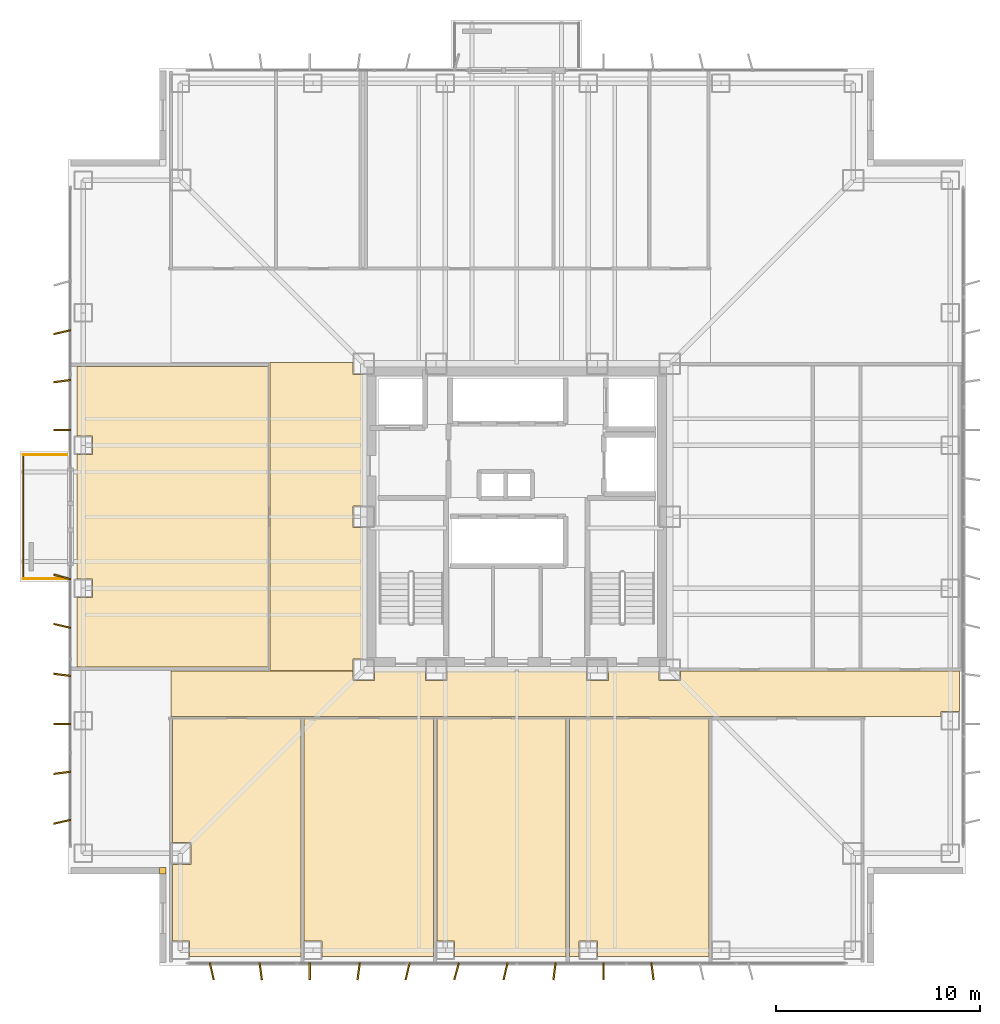
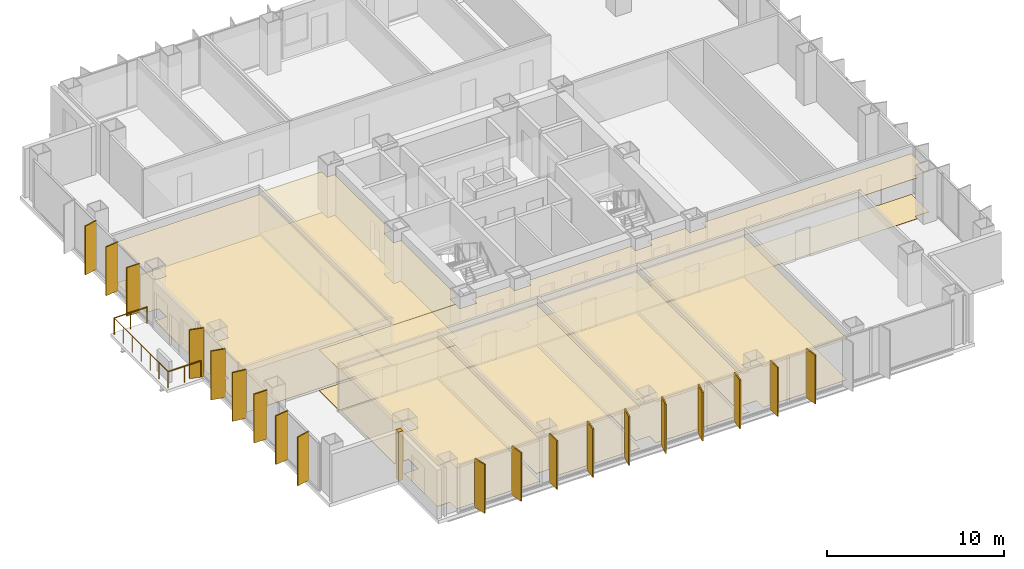
# One storey, part 13 of 15: 19 shading devices, 15 coverings, 3 railings.
"""IFC4 building model written with IfcOpenShell, lengths in metres."""

from ifc_helpers import new_model, si_unit, direction, frame, origin, origin_2d, place, context, subcontext, project, spatial, polyline, rectangle, circle, outline, extrude, material, layer, layer_set, type_object, element, save


model = new_model("IFC4")

# Units and contexts
model_context = context("Model", 3, precision=1e-05, world=origin(), true_north=direction((0.0, 1.0)))
body_context = subcontext(model_context, "Body", "Model", "MODEL_VIEW")
ifc_project = project(units=[si_unit("LENGTHUNIT", "METRE"), si_unit("AREAUNIT", "SQUARE_METRE"), si_unit("VOLUMEUNIT", "CUBIC_METRE"), si_unit("PLANEANGLEUNIT", "RADIAN"), si_unit("MASSUNIT", "GRAM", prefix="KILO")], contexts=[model_context])

# Site, building, storey
site_placement = place(None, origin())
site = spatial("IfcSite", under=ifc_project, at=site_placement, CompositionType="ELEMENT")
building_placement = place(site_placement, origin())
building = spatial("IfcBuilding", under=site, at=building_placement, Name="Trevonay Congress Spire", CompositionType="ELEMENT")
storey_placement = place(building_placement, frame((0.0, 0.0, 115.60009765625)))
storey = spatial("IfcBuildingStorey", under=building, at=storey_placement, Name="L29", CompositionType="ELEMENT", Elevation=115.60009765625)

# Coverings
ifc_material_1 = material(Name="Acoustic Mineral Fibre Board", Category="gypsum")
ifc_layer_1 = layer(ifc_material_1, 0.02490234375, Name="Acoustic Mineral Fibre Board")
ifc_layer_set_1 = layer_set([ifc_layer_1], Name="Acoustic Mineral Fibre Board")
covering_type_1 = type_object("IfcCoveringType", Name="COV-CEIL-ACOUSTIC", PredefinedType="CEILING", material=ifc_layer_set_1)
covering_1_placement = place(storey_placement, frame((0.0, 0.0, 2.809814453125)))
element("IfcCovering", 1, at=covering_1_placement, inside=storey, type_object=covering_type_1, Name="L29 Congress South Spine Corridor acoustic suspended ceiling", PredefinedType="CEILING", context=body_context, shape_type="SweptSolid", body=[
    extrude(outline(polyline([(-16.949951171875, -9.800048828125), (-16.949951171875, -7.550048828125), (-8.034912109375, -7.550048828125), (-8.034912109375, -8.034912109375), (-6.965087890625, -8.034912109375), (-6.965087890625, -7.550048828125), (-4.485107421875, -7.550048828125), (-4.485107421875, -8.034912109375), (-3.4150390625, -8.034912109375), (-3.4150390625, -7.550048828125), (3.4150390625, -7.550048828125), (3.4150390625, -8.034912109375), (4.485107421875, -8.034912109375), (4.485107421875, -7.550048828125), (6.965087890625, -7.550048828125), (6.965087890625, -8.034912109375), (8.034912109375, -8.034912109375), (8.034912109375, -7.550048828125), (21.699951171875, -7.550048828125), (21.699951171875, -9.5400390625), (20.7900390625, -9.5400390625), (20.7900390625, -9.800048828125), (-16.949951171875, -9.800048828125)])), origin(), (0.0, 0.0, 1.0), 0.025146484375),
])
covering_2_placement = place(storey_placement, frame((0.0, 0.0, 2.809814453125)))
element("IfcCovering", 2, at=covering_2_placement, inside=storey, type_object=covering_type_1, Name="L29 West Sky Promenade Salon acoustic suspended ceiling", PredefinedType="CEILING", context=body_context, shape_type="SweptSolid", body=[
    extrude(outline(polyline([(-12.10009765625, 7.550048828125), (-8.034912109375, 7.550048828125), (-8.034912109375, 6.965087890625), (-7.550048828125, 6.965087890625), (-7.550048828125, 0.534912109375), (-8.034912109375, 0.534912109375), (-8.034912109375, -0.534912109375), (-7.550048828125, -0.534912109375), (-7.550048828125, -6.965087890625), (-8.034912109375, -6.965087890625), (-8.034912109375, -7.5400390625), (-12.10009765625, -7.5400390625), (-12.10009765625, 7.550048828125)])), origin(), (0.0, 0.0, 1.0), 0.025146484375),
])
covering_3_placement = place(storey_placement, frame((0.0, 0.0, 2.809814453125)))
element("IfcCovering", 3, at=covering_3_placement, inside=storey, type_object=covering_type_1, Name="L29 Economic Secretariat Office 1 acoustic suspended ceiling", PredefinedType="CEILING", context=body_context, shape_type="SweptSolid", body=[
    extrude(outline(polyline([(-16.8701171875, -9.8798828125), (-10.580078125, -9.8798828125), (-10.580078125, -21.550048828125), (-16.0400390625, -21.550048828125), (-16.0400390625, -20.7900390625), (-16.8701171875, -20.7900390625), (-16.8701171875, -17.034912109375), (-15.965087890625, -17.034912109375), (-15.965087890625, -15.965087890625), (-16.8701171875, -15.965087890625), (-16.8701171875, -9.8798828125)])), origin(), (0.0, 0.0, 1.0), 0.025146484375),
])
covering_4_placement = place(storey_placement, frame((0.0, 0.0, 2.809814453125)))
element("IfcCovering", 4, at=covering_4_placement, inside=storey, type_object=covering_type_1, Name="L29 Economic Secretariat Office 2 acoustic suspended ceiling", PredefinedType="CEILING", context=body_context, shape_type="SweptSolid", body=[
    extrude(outline(polyline([(-10.419921875, -9.8798828125), (-4.080078125, -9.8798828125), (-4.080078125, -21.550048828125), (-9.5400390625, -21.550048828125), (-9.5400390625, -20.7900390625), (-10.419921875, -20.7900390625), (-10.419921875, -9.8798828125)])), origin(), (0.0, 0.0, 1.0), 0.025146484375),
])
covering_5_placement = place(storey_placement, frame((0.0, 0.0, 2.809814453125)))
element("IfcCovering", 5, at=covering_5_placement, inside=storey, type_object=covering_type_1, Name="L29 Legal Counsel Office 3 acoustic suspended ceiling", PredefinedType="CEILING", context=body_context, shape_type="SweptSolid", body=[
    extrude(outline(polyline([(-3.919921875, -9.8798828125), (2.419921875, -9.8798828125), (2.419921875, -21.550048828125), (-3.0400390625, -21.550048828125), (-3.0400390625, -20.7900390625), (-3.919921875, -20.7900390625), (-3.919921875, -9.8798828125)])), origin(), (0.0, 0.0, 1.0), 0.025146484375),
])
covering_6_placement = place(storey_placement, frame((0.0, 0.0, 2.809814453125)))
element("IfcCovering", 6, at=covering_6_placement, inside=storey, type_object=covering_type_1, Name="L29 Statistical Analysis Office 4 acoustic suspended ceiling", PredefinedType="CEILING", context=body_context, shape_type="SweptSolid", body=[
    extrude(outline(polyline([(2.580078125, -21.550048828125), (2.580078125, -9.8798828125), (9.419921875, -9.8798828125), (9.419921875, -21.550048828125), (3.9599609375, -21.550048828125), (3.9599609375, -20.7900390625), (3.0400390625, -20.7900390625), (3.0400390625, -21.550048828125), (2.580078125, -21.550048828125)])), origin(), (0.0, 0.0, 1.0), 0.025146484375),
])
covering_7_placement = place(storey_placement, frame((0.0, 0.0, 2.809814453125)))
element("IfcCovering", 7, at=covering_7_placement, inside=storey, type_object=covering_type_1, Name="L29 West Open-Plan Research Office acoustic suspended ceiling", PredefinedType="CEILING", context=body_context, shape_type="SweptSolid", body=[
    extrude(outline(polyline([(-21.550048828125, 7.3701171875), (-12.179931640625, 7.3701171875), (-12.179931640625, -7.3701171875), (-21.550048828125, -7.3701171875), (-21.550048828125, -3.9599609375), (-20.7900390625, -3.9599609375), (-20.7900390625, -3.0400390625), (-21.550048828125, -3.0400390625), (-21.550048828125, 3.0400390625), (-20.7900390625, 3.0400390625), (-20.7900390625, 3.9599609375), (-21.550048828125, 3.9599609375), (-21.550048828125, 7.3701171875)])), origin(), (0.0, 0.0, 1.0), 0.025146484375),
])
ifc_material_2 = material(Name="Polished Granite Floor Tile", Category="masonry")
ifc_layer_2 = layer(ifc_material_2, 0.02001953125, Name="Polished Granite Floor Tile")
ifc_layer_set_2 = layer_set([ifc_layer_2], Name="Polished Granite Floor Tile")
covering_type_2 = type_object("IfcCoveringType", Name="COV-FLOOR-STONE", PredefinedType="FLOORING", material=ifc_layer_set_2)
covering_8_placement = place(storey_placement, origin())
element("IfcCovering", 8, at=covering_8_placement, inside=storey, type_object=covering_type_2, Name="L29 Congress South Spine Corridor floor finish", PredefinedType="FLOORING", context=body_context, shape_type="SweptSolid", body=[
    extrude(outline(polyline([(-16.949951171875, -9.800048828125), (-16.949951171875, -7.550048828125), (-8.034912109375, -7.550048828125), (-8.034912109375, -8.034912109375), (-6.965087890625, -8.034912109375), (-6.965087890625, -7.550048828125), (-4.485107421875, -7.550048828125), (-4.485107421875, -8.034912109375), (-3.4150390625, -8.034912109375), (-3.4150390625, -7.550048828125), (3.4150390625, -7.550048828125), (3.4150390625, -8.034912109375), (4.485107421875, -8.034912109375), (4.485107421875, -7.550048828125), (6.965087890625, -7.550048828125), (6.965087890625, -8.034912109375), (8.034912109375, -8.034912109375), (8.034912109375, -7.550048828125), (21.699951171875, -7.550048828125), (21.699951171875, -9.5400390625), (20.7900390625, -9.5400390625), (20.7900390625, -9.800048828125), (-16.949951171875, -9.800048828125)])), origin(), (0.0, 0.0, 1.0), 0.02001953125),
])
ifc_material_3 = material(Name="Engineered Oak Flooring", Category="wood")
ifc_layer_3 = layer(ifc_material_3, 0.01806640625, Name="Engineered Oak Flooring")
ifc_layer_set_3 = layer_set([ifc_layer_3], Name="Engineered Oak Flooring")
covering_type_3 = type_object("IfcCoveringType", Name="COV-FLOOR-TIMBER", PredefinedType="FLOORING", material=ifc_layer_set_3)
covering_9_placement = place(storey_placement, origin())
element("IfcCovering", 9, at=covering_9_placement, inside=storey, type_object=covering_type_3, Name="L29 West Sky Promenade Salon floor finish", PredefinedType="FLOORING", context=body_context, shape_type="SweptSolid", body=[
    extrude(outline(polyline([(-12.10009765625, 7.550048828125), (-8.034912109375, 7.550048828125), (-8.034912109375, 6.965087890625), (-7.550048828125, 6.965087890625), (-7.550048828125, 0.534912109375), (-8.034912109375, 0.534912109375), (-8.034912109375, -0.534912109375), (-7.550048828125, -0.534912109375), (-7.550048828125, -6.965087890625), (-8.034912109375, -6.965087890625), (-8.034912109375, -7.5400390625), (-12.10009765625, -7.5400390625), (-12.10009765625, 7.550048828125)])), origin(), (0.0, 0.0, 1.0), 0.017822265625),
])
covering_10_placement = place(storey_placement, origin())
element("IfcCovering", 10, at=covering_10_placement, inside=storey, type_object=covering_type_3, Name="L29 Economic Secretariat Office 1 floor finish", PredefinedType="FLOORING", context=body_context, shape_type="SweptSolid", body=[
    extrude(outline(polyline([(-16.8701171875, -9.8798828125), (-10.580078125, -9.8798828125), (-10.580078125, -21.550048828125), (-16.0400390625, -21.550048828125), (-16.0400390625, -20.7900390625), (-16.8701171875, -20.7900390625), (-16.8701171875, -17.034912109375), (-15.965087890625, -17.034912109375), (-15.965087890625, -15.965087890625), (-16.8701171875, -15.965087890625), (-16.8701171875, -9.8798828125)])), origin(), (0.0, 0.0, 1.0), 0.017822265625),
])
covering_11_placement = place(storey_placement, origin())
element("IfcCovering", 11, at=covering_11_placement, inside=storey, type_object=covering_type_3, Name="L29 Economic Secretariat Office 2 floor finish", PredefinedType="FLOORING", context=body_context, shape_type="SweptSolid", body=[
    extrude(outline(polyline([(-10.419921875, -9.8798828125), (-4.080078125, -9.8798828125), (-4.080078125, -21.550048828125), (-9.5400390625, -21.550048828125), (-9.5400390625, -20.7900390625), (-10.419921875, -20.7900390625), (-10.419921875, -9.8798828125)])), origin(), (0.0, 0.0, 1.0), 0.017822265625),
])
covering_12_placement = place(storey_placement, origin())
element("IfcCovering", 12, at=covering_12_placement, inside=storey, type_object=covering_type_3, Name="L29 Legal Counsel Office 3 floor finish", PredefinedType="FLOORING", context=body_context, shape_type="SweptSolid", body=[
    extrude(outline(polyline([(-3.919921875, -9.8798828125), (2.419921875, -9.8798828125), (2.419921875, -21.550048828125), (-3.0400390625, -21.550048828125), (-3.0400390625, -20.7900390625), (-3.919921875, -20.7900390625), (-3.919921875, -9.8798828125)])), origin(), (0.0, 0.0, 1.0), 0.017822265625),
])
covering_13_placement = place(storey_placement, origin())
element("IfcCovering", 13, at=covering_13_placement, inside=storey, type_object=covering_type_3, Name="L29 Statistical Analysis Office 4 floor finish", PredefinedType="FLOORING", context=body_context, shape_type="SweptSolid", body=[
    extrude(outline(polyline([(2.580078125, -21.550048828125), (2.580078125, -9.8798828125), (9.419921875, -9.8798828125), (9.419921875, -21.550048828125), (3.9599609375, -21.550048828125), (3.9599609375, -20.7900390625), (3.0400390625, -20.7900390625), (3.0400390625, -21.550048828125), (2.580078125, -21.550048828125)])), origin(), (0.0, 0.0, 1.0), 0.017822265625),
])
covering_14_placement = place(storey_placement, origin())
element("IfcCovering", 14, at=covering_14_placement, inside=storey, type_object=covering_type_3, Name="L29 West Open-Plan Research Office floor finish", PredefinedType="FLOORING", context=body_context, shape_type="SweptSolid", body=[
    extrude(outline(polyline([(-21.550048828125, 7.3701171875), (-12.179931640625, 7.3701171875), (-12.179931640625, -7.3701171875), (-21.550048828125, -7.3701171875), (-21.550048828125, -3.9599609375), (-20.7900390625, -3.9599609375), (-20.7900390625, -3.0400390625), (-21.550048828125, -3.0400390625), (-21.550048828125, 3.0400390625), (-20.7900390625, 3.0400390625), (-20.7900390625, 3.9599609375), (-21.550048828125, 3.9599609375), (-21.550048828125, 7.3701171875)])), origin(), (0.0, 0.0, 1.0), 0.017822265625),
])
ifc_material_4 = material(Name="Pale Anodised Aluminium EN AW-6063-T6", Category="aluminium")
ifc_layer_4 = layer(ifc_material_4, 0.0400390625, Name="Pale Anodised Aluminium EN AW-6063-T6")
ifc_layer_set_4 = layer_set([ifc_layer_4], Name="Pale Anodised Aluminium EN AW-6063-T6")
covering_type_4 = type_object("IfcCoveringType", Name="COV-SPANDREL-PALE-METAL", PredefinedType="CLADDING", material=ifc_layer_set_4)
covering_15_placement = place(storey_placement, origin())
element("IfcCovering", 15, at=covering_15_placement, inside=storey, type_object=covering_type_4, Name="L29 SW re-entrant notch corner closure trim", PredefinedType="CLADDING", context=body_context, shape_type="SweptSolid", body=[
    extrude(outline(polyline([(-17.5, -17.5), (-17.199951171875, -17.5), (-17.199951171875, -17.199951171875), (-17.5, -17.199951171875), (-17.5, -17.5)])), origin(), (0.0, 0.0, 1.0), 3.35986328125),
])

# Railings
railing_type = type_object("IfcRailingType", Name="RAL-EXT-GUARD-115", PredefinedType="GUARDRAIL", material=ifc_material_4)
railing_1_placement = place(storey_placement, frame((-22.050048828125, -3.050048828125, 0.0)))
element("IfcRailing", 16, at=railing_1_placement, inside=storey, type_object=railing_type, Name="L29 perimeter safety guard GRD-L29-TBAL-W-1", PredefinedType="GUARDRAIL", context=body_context, shape_type="SweptSolid", body=[
    extrude(circle(Radius=0.02392578125, at=origin_2d()), frame((0.0, 0.0, 1.1259765625), z_axis=(-1.0, 0.0, 0.0), x_axis=(0.0, -1.0, 0.0)), (0.0, 0.0, 1.0), 2.14990234375),
    extrude(circle(Radius=0.02099609375, at=origin_2d()), origin(), (0.0, 0.0, 1.0), 1.101806640625),
    extrude(circle(Radius=0.02099609375, at=origin_2d()), frame((-1.074951171875, 0.0, 0.0)), (0.0, 0.0, 1.0), 1.101806640625),
    extrude(circle(Radius=0.02099609375, at=origin_2d()), frame((-2.14990234375, 0.0, 0.0)), (0.0, 0.0, 1.0), 1.101806640625),
])
railing_2_placement = place(storey_placement, frame((-24.199951171875, -3.050048828125, 0.0)))
element("IfcRailing", 17, at=railing_2_placement, inside=storey, type_object=railing_type, Name="L29 perimeter safety guard GRD-L29-TBAL-W-2", PredefinedType="GUARDRAIL", context=body_context, shape_type="SweptSolid", body=[
    extrude(circle(Radius=0.02392578125, at=origin_2d()), frame((0.0, 0.0, 1.1259765625), z_axis=(0.0, 1.0, 0.0), x_axis=(-1.0, 0.0, 0.0)), (0.0, 0.0, 1.0), 6.10009765625),
    extrude(circle(Radius=0.02099609375, at=origin_2d()), origin(), (0.0, 0.0, 1.0), 1.101806640625),
    extrude(circle(Radius=0.02099609375, at=origin_2d()), frame((0.0, 1.0166015625, 0.0)), (0.0, 0.0, 1.0), 1.101806640625),
    extrude(circle(Radius=0.02099609375, at=origin_2d()), frame((0.0, 2.033447265625, 0.0)), (0.0, 0.0, 1.0), 1.101806640625),
    extrude(circle(Radius=0.02099609375, at=origin_2d()), frame((0.0, 3.050048828125, 0.0)), (0.0, 0.0, 1.0), 1.101806640625),
    extrude(circle(Radius=0.02099609375, at=origin_2d()), frame((0.0, 4.066650390625, 0.0)), (0.0, 0.0, 1.0), 1.101806640625),
    extrude(circle(Radius=0.02099609375, at=origin_2d()), frame((0.0, 5.08349609375, 0.0)), (0.0, 0.0, 1.0), 1.101806640625),
    extrude(circle(Radius=0.02099609375, at=origin_2d()), frame((0.0, 6.10009765625, 0.0)), (0.0, 0.0, 1.0), 1.101806640625),
])
railing_3_placement = place(storey_placement, frame((-24.199951171875, 3.050048828125, 0.0)))
element("IfcRailing", 18, at=railing_3_placement, inside=storey, type_object=railing_type, Name="L29 perimeter safety guard GRD-L29-TBAL-W-3", PredefinedType="GUARDRAIL", context=body_context, shape_type="SweptSolid", body=[
    extrude(circle(Radius=0.02392578125, at=origin_2d()), frame((0.0, 0.0, 1.1259765625), z_axis=(1.0, 0.0, 0.0), x_axis=(0.0, 1.0, 0.0)), (0.0, 0.0, 1.0), 2.14990234375),
    extrude(circle(Radius=0.02099609375, at=origin_2d()), origin(), (0.0, 0.0, 1.0), 1.101806640625),
    extrude(circle(Radius=0.02099609375, at=origin_2d()), frame((1.074951171875, 0.0, 0.0)), (0.0, 0.0, 1.0), 1.101806640625),
    extrude(circle(Radius=0.02099609375, at=origin_2d()), frame((2.14990234375, 0.0, 0.0)), (0.0, 0.0, 1.0), 1.101806640625),
])

# Shading devices
shading_device_type = type_object("IfcShadingDeviceType", Name="SHD-FIN-Z2-PALE-METAL", PredefinedType="USERDEFINED", material=ifc_material_4)
for number, where, z_axis, x_axis, name in (
    (19, (-14.949951171875, -22.280029296875, 0.0), (0.0, 0.0, 1.0), (0.97440931131, 0.224780991261, 0.0), "L29 S vertical pale-metal solar fin 1"),
    (20, (-12.550048828125, -22.280029296875, 0.0), (0.0, 0.0, 1.0), (0.991444861374, 0.13052619222, 0.0), "L29 S vertical pale-metal solar fin 2"),
    (21, (-10.14990234375, -22.280029296875, 0.0), (0.0, 0.0, 1.0), (1.0, 0.0, 0.0), "L29 S vertical pale-metal solar fin 3"),
    (22, (-7.75, -22.280029296875, 0.0), (0.0, 0.0, 1.0), (0.991444861374, -0.13052619222, 0.0), "L29 S vertical pale-metal solar fin 4"),
    (23, (-5.35009765625, -22.280029296875, 0.0), (0.0, 0.0, 1.0), (0.97440931131, -0.224780991261, 0.0), "L29 S vertical pale-metal solar fin 5"),
    (24, (-2.949951171875, -22.280029296875, 0.0), (0.0, 0.0, 1.0), (0.965925826289, -0.258819045103, 0.0), "L29 S vertical pale-metal solar fin 6"),
    (25, (-0.550048828125, -22.280029296875, 0.0), (0.0, 0.0, 1.0), (0.97440931131, -0.224780991261, 0.0), "L29 S vertical pale-metal solar fin 7"),
    (26, (1.85009765625, -22.280029296875, 0.0), (0.0, 0.0, 1.0), (0.991444861374, -0.13052619222, 0.0), "L29 S vertical pale-metal solar fin 8"),
    (27, (4.25, -22.280029296875, 0.0), (0.0, 0.0, 1.0), (1.0, 0.0, 0.0), "L29 S vertical pale-metal solar fin 9"),
    (28, (6.64990234375, -22.280029296875, 0.0), (0.0, 0.0, 1.0), (0.991444861374, 0.13052619222, 0.0), "L29 S vertical pale-metal solar fin 10"),
    (29, (-22.280029296875, -14.949951171875, 0.0), (0.0, 0.0, 1.0), (-0.224780991261, 0.97440931131, 0.0), "L29 W vertical pale-metal solar fin 1"),
    (30, (-22.280029296875, -12.550048828125, 0.0), (0.0, 0.0, 1.0), (-0.13052619222, 0.991444861374, 0.0), "L29 W vertical pale-metal solar fin 2"),
    (31, (-22.280029296875, -10.14990234375, 0.0), (0.0, 0.0, 1.0), (0.0, 1.0, 0.0), "L29 W vertical pale-metal solar fin 3"),
    (32, (-22.280029296875, -7.75, 0.0), (0.0, 0.0, 1.0), (0.13052619222, 0.991444861374, 0.0), "L29 W vertical pale-metal solar fin 4"),
    (33, (-22.280029296875, -5.35009765625, 0.0), (0.0, 0.0, 1.0), (0.224780991261, 0.97440931131, 0.0), "L29 W vertical pale-metal solar fin 5"),
    (34, (-22.280029296875, -2.949951171875, 0.0), (0.0, 0.0, 1.0), (0.258819045103, 0.965925826289, 0.0), "L29 W vertical pale-metal solar fin 6"),
    (35, (-22.280029296875, 4.25, 0.0), (0.0, 0.0, 1.0), (0.0, 1.0, 0.0), "L29 W vertical pale-metal solar fin 9"),
    (36, (-22.280029296875, 6.64990234375, 0.0), (0.0, 0.0, 1.0), (-0.13052619222, 0.991444861374, 0.0), "L29 W vertical pale-metal solar fin 10"),
    (37, (-22.280029296875, 9.050048828125, 0.0), (0.0, 0.0, 1.0), (-0.224780991261, 0.97440931131, 0.0), "L29 W vertical pale-metal solar fin 11"),
):
    element("IfcShadingDevice", number, at=place(storey_placement, frame(where, z_axis=z_axis, x_axis=x_axis)), inside=storey, type_object=shading_device_type, Name=name, ObjectType="SOLAR FIN", PredefinedType="USERDEFINED", context=body_context, shape_type="SweptSolid", body=[
        extrude(rectangle(XDim=0.080078125, YDim=0.85009765625, at=origin_2d()), origin(), (0.0, 0.0, 1.0), 3.360107421875),
    ])

save(model, "model.ifc")
